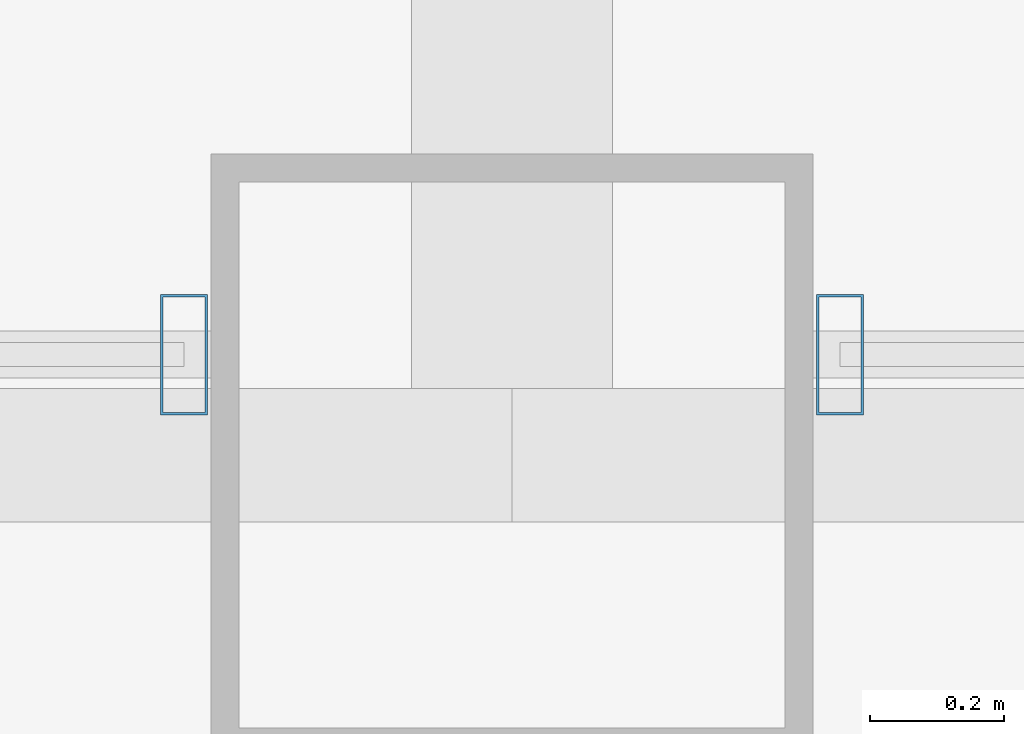
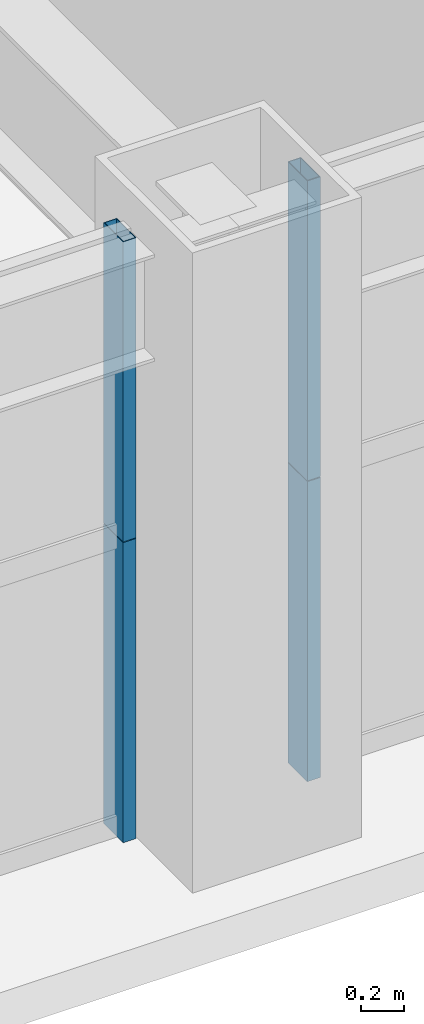
# One storey, part 7 of 43: 4 members, 2 elements without a shape of their own.
"""IFC4 building model written with IfcOpenShell, lengths in metres."""

from ifc_helpers import new_model, si_unit, direction, frame, origin, origin_2d, place, context, subcontext, project, spatial, hollow_rectangle, extrude, source, transform, mapped, material, layer, layer_set, material_profile, profile_set, type_object, element, aggregate, save


model = new_model("IFC4")

# Units and contexts
model_context = context("Model", 3, precision=1e-05, world=origin(), true_north=direction((0.0, 1.0)))
body_context = subcontext(model_context, "Body", "Model", "MODEL_VIEW")
ifc_project = project(units=[si_unit("LENGTHUNIT", "METRE"), si_unit("AREAUNIT", "SQUARE_METRE"), si_unit("VOLUMEUNIT", "CUBIC_METRE"), si_unit("PLANEANGLEUNIT", "RADIAN"), si_unit("MASSUNIT", "GRAM", prefix="KILO"), si_unit("THERMODYNAMICTEMPERATUREUNIT", "KELVIN"), si_unit("POWERUNIT", "WATT")], contexts=[model_context])

# Site, building, storey
site_placement = place(None, origin())
site = spatial("IfcSite", under=ifc_project, at=site_placement, CompositionType="ELEMENT")
building_placement = place(site_placement, origin())
building = spatial("IfcBuilding", under=site, at=building_placement, Name="Yuzanri Waterfront Tower", CompositionType="ELEMENT")
storey_placement = place(building_placement, frame((0.0, 0.0, 74.800048828125)))
storey = spatial("IfcBuildingStorey", under=building, at=storey_placement, Name="L19", CompositionType="ELEMENT", Elevation=74.800048828125)

# Curtain wall, members
ifc_material_1 = material(Name="Anodized Architectural Bronze", Category="metal")
ifc_layer = layer(ifc_material_1, 0.159912109375)
ifc_layer_set = layer_set([ifc_layer], Name="Anodized Architectural Bronze")
curtain_wall_type = type_object("IfcCurtainWallType", Name="Anodized Bronze Hotel Lower-Tier Recessed Unitized Curtain Wall 8100", PredefinedType="NOTDEFINED", material=ifc_layer_set)
curtain_wall_1_placement = place(storey_placement, origin())
curtain_wall_1 = element("IfcCurtainWall", 1, at=curtain_wall_1_placement, inside=storey, type_object=curtain_wall_type, Name="L19 Curtain Wall CW-L19-SL", PredefinedType="NOTDEFINED")
ifc_material_2 = material(Name="Anodized Architectural Bronze", Category="metal")
ifc_material_profile = material_profile(ifc_material_2, hollow_rectangle(XDim=0.070068359375, YDim=0.179931640625, WallThickness=0.00390625, at=origin_2d()), Name="CWM 70x180")
ifc_profile_set = profile_set([ifc_material_profile], Name="Anodized Architectural Bronze")
member_type = type_object("IfcMemberType", Name="Anodized Bronze Standard Curtain-Wall Mullion 70x180", PredefinedType="MULLION", material=ifc_profile_set)
shared_shape = source(origin(), body_context, "Body", "SweptSolid", [
    extrude(hollow_rectangle(XDim=0.070068359375, YDim=0.179931640625, WallThickness=0.00390625, at=origin_2d()), origin(), (0.0, 0.0, 1.0), 1.68798828125),
])
member_1_placement = place(storey_placement, frame((36.510009765625, 0.85009765625, 0.0), z_axis=(0.0, 0.0, 1.0), x_axis=(1.0, 0.0, 0.0)))
member_1 = element("IfcMember", 2, at=member_1_placement, type_object=member_type, Name="CW-L19-SL Lower Mullion 02", PredefinedType="MULLION", context=body_context, shape_type="MappedRepresentation", body=[
    mapped(shared_shape, transform((0.0, 0.0, 0.0), scale=1.0)),
])
member_2_placement = place(storey_placement, frame((36.510009765625, 0.85009765625, 1.69189453125), z_axis=(0.0, 0.0, 1.0), x_axis=(1.0, 0.0, 0.0)))
member_2 = element("IfcMember", 3, at=member_2_placement, type_object=member_type, Name="CW-L19-SL Upper Mullion 02", PredefinedType="MULLION", context=body_context, shape_type="MappedRepresentation", body=[
    mapped(shared_shape, transform((0.0, 0.0, 0.0), scale=1.0)),
])
aggregate(curtain_wall_1, [member_1, member_2])

curtain_wall_2_placement = place(storey_placement, origin())
curtain_wall_2 = element("IfcCurtainWall", 4, at=curtain_wall_2_placement, inside=storey, type_object=curtain_wall_type, Name="L19 Curtain Wall CW-L19-SR", PredefinedType="NOTDEFINED")
member_3_placement = place(storey_placement, frame((37.489990234375, 0.85009765625, 0.0), z_axis=(0.0, 0.0, 1.0), x_axis=(1.0, 0.0, 0.0)))
member_3 = element("IfcMember", 5, at=member_3_placement, type_object=member_type, Name="CW-L19-SR Lower Mullion 00", PredefinedType="MULLION", context=body_context, shape_type="MappedRepresentation", body=[
    mapped(shared_shape, transform((0.0, 0.0, 0.0), scale=1.0)),
])
member_4_placement = place(storey_placement, frame((37.489990234375, 0.85009765625, 1.69189453125), z_axis=(0.0, 0.0, 1.0), x_axis=(1.0, 0.0, 0.0)))
member_4 = element("IfcMember", 6, at=member_4_placement, type_object=member_type, Name="CW-L19-SR Upper Mullion 00", PredefinedType="MULLION", context=body_context, shape_type="MappedRepresentation", body=[
    mapped(shared_shape, transform((0.0, 0.0, 0.0), scale=1.0)),
])
aggregate(curtain_wall_2, [member_3, member_4])

save(model, "model.ifc")
